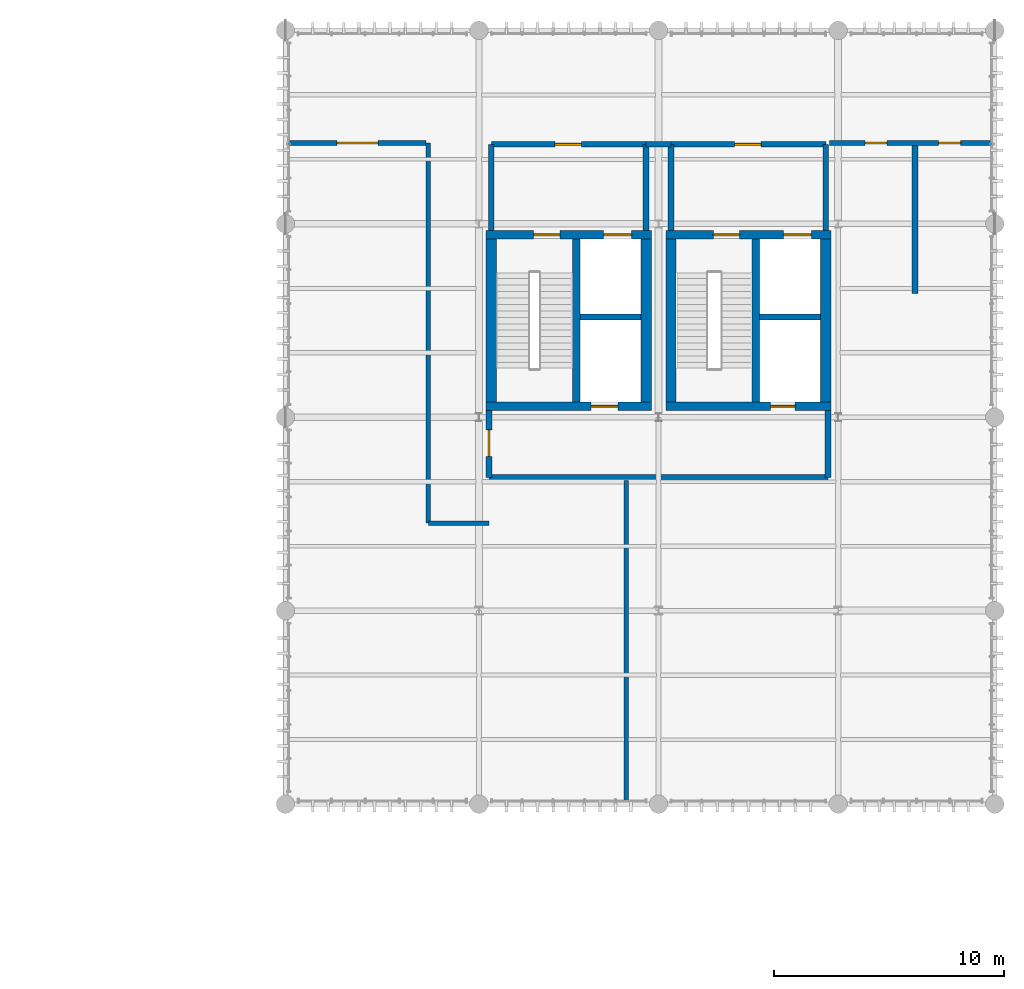
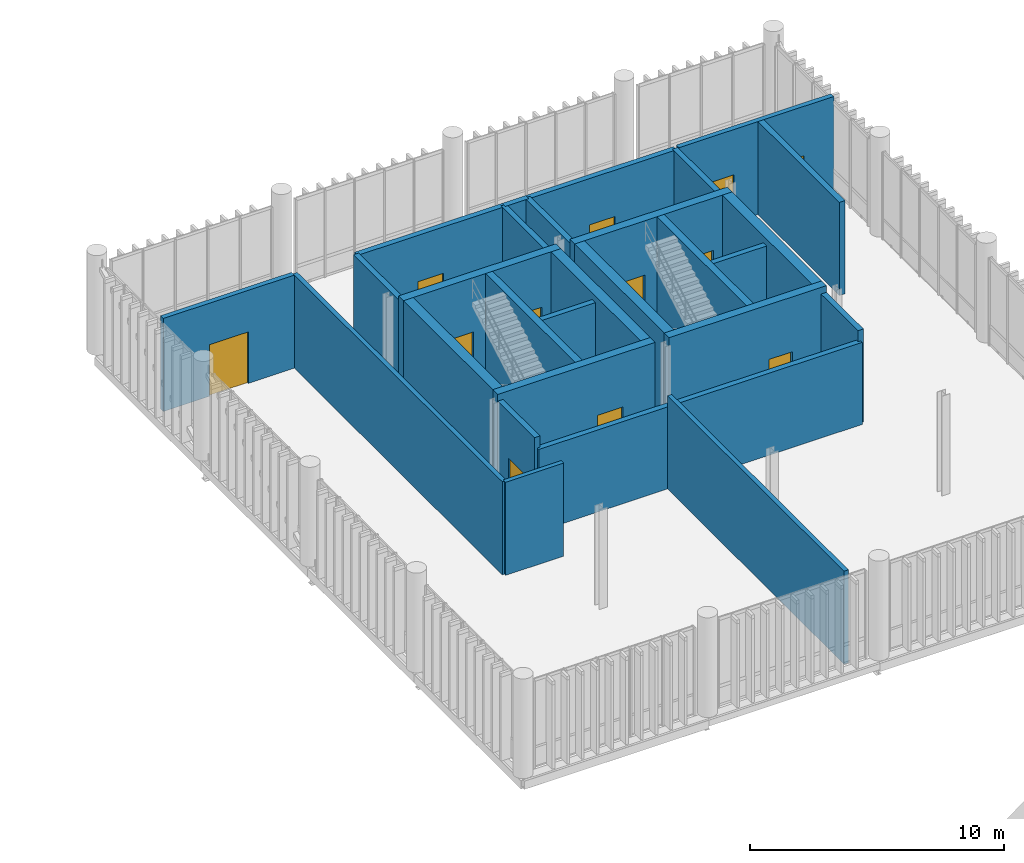
# One storey, part 82 of 94: 28 walls, 12 doors, 12 openings.
"""IFC4 building model written with IfcOpenShell, lengths in metres."""

from ifc_helpers import new_model, si_unit, direction, frame, frame_2d, origin_with_axes, place, context, subcontext, project, spatial, rectangle, extrude, material, layer, layer_set, type_object, element, fill, save


model = new_model("IFC4")

# Units and contexts
model_context = context("Model", 3, precision=1e-05, world=origin_with_axes(), true_north=direction((0.0, 1.0)))
body_context = subcontext(model_context, "Body", "Model", "MODEL_VIEW")
ifc_project = project(units=[si_unit("LENGTHUNIT", "METRE"), si_unit("AREAUNIT", "SQUARE_METRE"), si_unit("VOLUMEUNIT", "CUBIC_METRE"), si_unit("PLANEANGLEUNIT", "RADIAN"), si_unit("MASSUNIT", "GRAM", prefix="KILO"), si_unit("THERMODYNAMICTEMPERATUREUNIT", "KELVIN")], contexts=[model_context])

# Site, building, storey
site_placement = place(None, origin_with_axes())
site = spatial("IfcSite", under=ifc_project, at=site_placement, CompositionType="ELEMENT")
building_placement = place(site_placement, origin_with_axes())
building = spatial("IfcBuilding", under=site, at=building_placement, Name="Montbau Bow Law Courts", CompositionType="ELEMENT")
storey_placement = place(building_placement, frame((0.0, 0.0, 15.6), z_axis=(0.0, 0.0, 1.0), x_axis=(1.0, 0.0, 0.0)))
storey = spatial("IfcBuildingStorey", under=building, at=storey_placement, Name="L03", CompositionType="ELEMENT", Elevation=15.6)

# Walls
ifc_material_1 = material(Name="Concrete CSA A23.1 f'c 45 MPa", Category="concrete")
ifc_layer_1 = layer(ifc_material_1, 0.45, Name="Shear Wall", Category="concrete")
ifc_layer_set_1 = layer_set([ifc_layer_1], Name="Concrete CSA A23.1 f'c 45 MPa")
wall_type_1 = type_object("IfcWallType", Name="W-COR-02", PredefinedType="SHEAR", material=ifc_layer_set_1)
for number, where, z_axis, x_axis, name in (
    (1, (154.26, 87.07, 15.6), (0.0, 0.0, 1.0), (0.0, 1.0, 0.0), "WC-L03-0309:wal_0376"),
    (2, (147.54, 94.13, 15.6), (0.0, 0.0, 1.0), (0.0, -1.0, 0.0), "WC-L03-0310:wal_0377"),
    (3, (162.06, 87.07, 15.6), (0.0, 0.0, 1.0), (0.0, 1.0, 0.0), "WC-L03-0415:wal_0482"),
    (4, (155.34, 94.13, 15.6), (0.0, 0.0, 1.0), (0.0, -1.0, 0.0), "WC-L03-0416:wal_0483"),
):
    element("IfcWall", number, at=place(None, frame(where, z_axis=z_axis, x_axis=x_axis)), inside=storey, type_object=wall_type_1, Name=name, PredefinedType="SHEAR", context=body_context, shape_type="SweptSolid", body=[
        extrude(rectangle(XDim=7.060000000000002, YDim=0.45, at=frame_2d((3.53, 0.0), x_axis=(1.0, 0.0))), origin_with_axes(), (0.0, 0.0, 1.0), 4.8),
    ])

# Wall, opening, door
ifc_layer_2 = layer(ifc_material_1, 0.38, Name="Shear Wall", Category="concrete")
ifc_layer_set_2 = layer_set([ifc_layer_2], Name="Concrete CSA A23.1 f'c 45 MPa")
wall_type_2 = type_object("IfcWallType", Name="W-COR-04", PredefinedType="SHEAR", material=ifc_layer_set_2)
wall_1_placement = place(None, frame((147.315, 86.88, 15.6), z_axis=(0.0, 0.0, 1.0), x_axis=(1.0, 0.0, 0.0)))
wall_1 = element("IfcWall", 5, at=wall_1_placement, inside=storey, type_object=wall_type_2, Name="WC-L03-0307:wal_0374", PredefinedType="SHEAR", context=body_context, shape_type="SweptSolid", body=[
    extrude(rectangle(XDim=7.170000000000016, YDim=0.38, at=frame_2d((3.585, 0.0), x_axis=(1.0, 0.0))), origin_with_axes(), (0.0, 0.0, 1.0), 4.8),
])
opening_1_placement = place(None, frame((152.45, 86.88, 15.6), z_axis=(0.0, 0.0, 1.0), x_axis=(1.0, 0.0, 0.0)))
opening_1 = element("IfcOpeningElement", 6, at=opening_1_placement, cuts=wall_1, Name="OP-LD-L03-EL-P4", PredefinedType="OPENING", context=body_context, shape_type="SweptSolid", body=[
    extrude(rectangle(XDim=1.16, YDim=2.2, at=frame_2d((0.0, 1.1), x_axis=(1.0, 0.0))), frame((0.0, 0.2, 0.0), z_axis=(0.0, -1.0, 0.0), x_axis=(1.0, 0.0, 0.0)), (0.0, 0.0, 1.0), 0.4),
])
ifc_material_2 = material(Name="Brushed Stainless Steel Elevator Landing Door", Category="steel")
door_type_1 = type_object("IfcDoorType", Name="LD-PUB-01", OperationType="NOTDEFINED", ParameterTakesPrecedence=False, PredefinedType="DOOR", material=ifc_material_2)
door_1_placement = place(None, frame((152.45, 86.88, 15.6), z_axis=(0.0, 0.0, 1.0), x_axis=(-1.0, 0.0, 0.0)))
door_1 = element("IfcDoor", 7, at=door_1_placement, inside=storey, type_object=door_type_1, Name="LD-L03-EL-P4:dor_0156", OperationType="SLIDING_TO_LEFT", OverallHeight=2.2, OverallWidth=1.16, PredefinedType="DOOR", context=body_context, shape_type="SweptSolid", body=[
    extrude(rectangle(XDim=1.16, YDim=2.2, at=frame_2d((0.0, 1.1), x_axis=(1.0, 0.0))), frame((0.0, 0.04, 0.0), z_axis=(0.0, -1.0, 0.0), x_axis=(1.0, 0.0, 0.0)), (0.0, 0.0, 1.0), 0.08),
])
fill(opening_1, door_1)

# Wall, openings, doors
wall_2_placement = place(None, frame((154.485, 94.32, 15.6), z_axis=(0.0, 0.0, 1.0), x_axis=(-1.0, 0.0, 0.0)))
wall_2 = element("IfcWall", 8, at=wall_2_placement, inside=storey, type_object=wall_type_2, Name="WC-L03-0308:wal_0375", PredefinedType="SHEAR", context=body_context, shape_type="SweptSolid", body=[
    extrude(rectangle(XDim=7.170000000000016, YDim=0.38, at=frame_2d((3.585, 0.0), x_axis=(1.0, 0.0))), origin_with_axes(), (0.0, 0.0, 1.0), 4.8),
])
opening_2_placement = place(None, frame((149.95, 94.32, 15.6), z_axis=(0.0, 0.0, 1.0), x_axis=(-1.0, 0.0, 0.0)))
opening_2 = element("IfcOpeningElement", 9, at=opening_2_placement, cuts=wall_2, Name="OP-D-L03-ST-P2", PredefinedType="OPENING", context=body_context, shape_type="SweptSolid", body=[
    extrude(rectangle(XDim=1.14, YDim=2.18, at=frame_2d((0.0, 1.09), x_axis=(1.0, 0.0))), frame((0.0, 0.2, 0.0), z_axis=(0.0, -1.0, 0.0), x_axis=(1.0, 0.0, 0.0)), (0.0, 0.0, 1.0), 0.4),
])
opening_3_placement = place(None, frame((153.025, 94.32, 15.6), z_axis=(0.0, 0.0, 1.0), x_axis=(-1.0, 0.0, 0.0)))
opening_3 = element("IfcOpeningElement", 10, at=opening_3_placement, cuts=wall_2, Name="OP-LD-L03-EL-FF1", PredefinedType="OPENING", context=body_context, shape_type="SweptSolid", body=[
    extrude(rectangle(XDim=1.22, YDim=2.28, at=frame_2d((0.0, 1.14), x_axis=(1.0, 0.0))), frame((0.0, 0.2, 0.0), z_axis=(0.0, -1.0, 0.0), x_axis=(1.0, 0.0, 0.0)), (0.0, 0.0, 1.0), 0.4),
])
ifc_material_3 = material(Name="1.5 h Fire-Rated Hollow-Metal Exit Stair Door", Category="steel")
door_type_2 = type_object("IfcDoorType", Name="D-ST-01", OperationType="NOTDEFINED", ParameterTakesPrecedence=False, PredefinedType="DOOR", material=ifc_material_3)
door_2_placement = place(None, frame((149.95, 94.32, 15.6), z_axis=(0.0, 0.0, 1.0), x_axis=(1.0, 0.0, 0.0)))
door_2 = element("IfcDoor", 11, at=door_2_placement, inside=storey, type_object=door_type_2, Name="D-L03-ST-P2:dor_0154", OperationType="SINGLE_SWING_LEFT", OverallHeight=2.18, OverallWidth=1.14, PredefinedType="DOOR", context=body_context, shape_type="SweptSolid", body=[
    extrude(rectangle(XDim=1.14, YDim=2.18, at=frame_2d((0.0, 1.09), x_axis=(1.0, 0.0))), frame((0.0, 0.04, 0.0), z_axis=(0.0, -1.0, 0.0), x_axis=(1.0, 0.0, 0.0)), (0.0, 0.0, 1.0), 0.08),
])
fill(opening_2, door_2)
ifc_material_4 = material(Name="CSA B44 Firefighters Elevator Landing Door", Category="steel")
door_type_3 = type_object("IfcDoorType", Name="LD-FFE-01", OperationType="NOTDEFINED", ParameterTakesPrecedence=False, PredefinedType="DOOR", material=ifc_material_4)
door_3_placement = place(None, frame((153.025, 94.32, 15.6), z_axis=(0.0, 0.0, 1.0), x_axis=(1.0, 0.0, 0.0)))
door_3 = element("IfcDoor", 12, at=door_3_placement, inside=storey, type_object=door_type_3, Name="LD-L03-EL-FF1:dor_0155", OperationType="SLIDING_TO_LEFT", OverallHeight=2.28, OverallWidth=1.22, PredefinedType="DOOR", context=body_context, shape_type="SweptSolid", body=[
    extrude(rectangle(XDim=1.22, YDim=2.28, at=frame_2d((0.0, 1.14), x_axis=(1.0, 0.0))), frame((0.0, 0.04, 0.0), z_axis=(0.0, -1.0, 0.0), x_axis=(1.0, 0.0, 0.0)), (0.0, 0.0, 1.0), 0.08),
])
fill(opening_3, door_3)

# Wall, opening, door
wall_3_placement = place(None, frame((155.115, 86.88, 15.6), z_axis=(0.0, 0.0, 1.0), x_axis=(1.0, 0.0, 0.0)))
wall_3 = element("IfcWall", 13, at=wall_3_placement, inside=storey, type_object=wall_type_2, Name="WC-L03-0413:wal_0480", PredefinedType="SHEAR", context=body_context, shape_type="SweptSolid", body=[
    extrude(rectangle(XDim=7.1699999999999875, YDim=0.38, at=frame_2d((3.585, 0.0), x_axis=(1.0, 0.0))), origin_with_axes(), (0.0, 0.0, 1.0), 4.8),
])
opening_4_placement = place(None, frame((160.2, 86.88, 15.6), z_axis=(0.0, 0.0, 1.0), x_axis=(1.0, 0.0, 0.0)))
opening_4 = element("IfcOpeningElement", 14, at=opening_4_placement, cuts=wall_3, Name="OP-LD-L03-EL-J2", PredefinedType="OPENING", context=body_context, shape_type="SweptSolid", body=[
    extrude(rectangle(XDim=1.06, YDim=2.16, at=frame_2d((0.0, 1.08), x_axis=(1.0, 0.0))), frame((0.0, 0.2, 0.0), z_axis=(0.0, -1.0, 0.0), x_axis=(1.0, 0.0, 0.0)), (0.0, 0.0, 1.0), 0.4),
])
ifc_material_5 = material(Name="Bronze-Clad Judicial Elevator Landing Door", Category="steel")
door_type_4 = type_object("IfcDoorType", Name="LD-JUD-01", OperationType="NOTDEFINED", ParameterTakesPrecedence=False, PredefinedType="DOOR", material=ifc_material_5)
door_4_placement = place(None, frame((160.2, 86.88, 15.6), z_axis=(0.0, 0.0, 1.0), x_axis=(-1.0, 0.0, 0.0)))
door_4 = element("IfcDoor", 15, at=door_4_placement, inside=storey, type_object=door_type_4, Name="LD-L03-EL-J2:dor_0195", OperationType="SLIDING_TO_LEFT", OverallHeight=2.16, OverallWidth=1.06, PredefinedType="DOOR", context=body_context, shape_type="SweptSolid", body=[
    extrude(rectangle(XDim=1.06, YDim=2.16, at=frame_2d((0.0, 1.08), x_axis=(1.0, 0.0))), frame((0.0, 0.04, 0.0), z_axis=(0.0, -1.0, 0.0), x_axis=(1.0, 0.0, 0.0)), (0.0, 0.0, 1.0), 0.08),
])
fill(opening_4, door_4)

# Wall, openings, doors
wall_4_placement = place(None, frame((162.285, 94.32, 15.6), z_axis=(0.0, 0.0, 1.0), x_axis=(-1.0, 0.0, 0.0)))
wall_4 = element("IfcWall", 16, at=wall_4_placement, inside=storey, type_object=wall_type_2, Name="WC-L03-0414:wal_0481", PredefinedType="SHEAR", context=body_context, shape_type="SweptSolid", body=[
    extrude(rectangle(XDim=7.1699999999999875, YDim=0.38, at=frame_2d((3.585, 0.0), x_axis=(1.0, 0.0))), origin_with_axes(), (0.0, 0.0, 1.0), 4.8),
])
opening_5_placement = place(None, frame((157.75, 94.32, 15.6), z_axis=(0.0, 0.0, 1.0), x_axis=(-1.0, 0.0, 0.0)))
opening_5 = element("IfcOpeningElement", 17, at=opening_5_placement, cuts=wall_4, Name="OP-D-L03-ST-J2", PredefinedType="OPENING", context=body_context, shape_type="SweptSolid", body=[
    extrude(rectangle(XDim=1.14, YDim=2.18, at=frame_2d((0.0, 1.09), x_axis=(1.0, 0.0))), frame((0.0, 0.2, 0.0), z_axis=(0.0, -1.0, 0.0), x_axis=(1.0, 0.0, 0.0)), (0.0, 0.0, 1.0), 0.4),
])
opening_6_placement = place(None, frame((160.825, 94.32, 15.6), z_axis=(0.0, 0.0, 1.0), x_axis=(-1.0, 0.0, 0.0)))
opening_6 = element("IfcOpeningElement", 18, at=opening_6_placement, cuts=wall_4, Name="OP-LD-L03-EL-FF2", PredefinedType="OPENING", context=body_context, shape_type="SweptSolid", body=[
    extrude(rectangle(XDim=1.22, YDim=2.28, at=frame_2d((0.0, 1.14), x_axis=(1.0, 0.0))), frame((0.0, 0.2, 0.0), z_axis=(0.0, -1.0, 0.0), x_axis=(1.0, 0.0, 0.0)), (0.0, 0.0, 1.0), 0.4),
])
door_5_placement = place(None, frame((157.75, 94.32, 15.6), z_axis=(0.0, 0.0, 1.0), x_axis=(1.0, 0.0, 0.0)))
door_5 = element("IfcDoor", 19, at=door_5_placement, inside=storey, type_object=door_type_2, Name="D-L03-ST-J2:dor_0193", OperationType="SINGLE_SWING_RIGHT", OverallHeight=2.18, OverallWidth=1.14, PredefinedType="DOOR", context=body_context, shape_type="SweptSolid", body=[
    extrude(rectangle(XDim=1.14, YDim=2.18, at=frame_2d((0.0, 1.09), x_axis=(1.0, 0.0))), frame((0.0, 0.04, 0.0), z_axis=(0.0, -1.0, 0.0), x_axis=(1.0, 0.0, 0.0)), (0.0, 0.0, 1.0), 0.08),
])
fill(opening_5, door_5)
door_6_placement = place(None, frame((160.825, 94.32, 15.6), z_axis=(0.0, 0.0, 1.0), x_axis=(1.0, 0.0, 0.0)))
door_6 = element("IfcDoor", 20, at=door_6_placement, inside=storey, type_object=door_type_3, Name="LD-L03-EL-FF2:dor_0194", OperationType="SLIDING_TO_LEFT", OverallHeight=2.28, OverallWidth=1.22, PredefinedType="DOOR", context=body_context, shape_type="SweptSolid", body=[
    extrude(rectangle(XDim=1.22, YDim=2.28, at=frame_2d((0.0, 1.14), x_axis=(1.0, 0.0))), frame((0.0, 0.04, 0.0), z_axis=(0.0, -1.0, 0.0), x_axis=(1.0, 0.0, 0.0)), (0.0, 0.0, 1.0), 0.08),
])
fill(opening_6, door_6)

# Walls
ifc_layer_3 = layer(ifc_material_1, 0.32, Name="Shear Wall", Category="concrete")
ifc_layer_set_3 = layer_set([ifc_layer_3], Name="Concrete CSA A23.1 f'c 45 MPa")
wall_type_3 = type_object("IfcWallType", Name="W-COR-05", PredefinedType="SHEAR", material=ifc_layer_set_3)
for number, where, z_axis, x_axis, name in (
    (21, (151.22, 87.07, 15.6), (0.0, 0.0, 1.0), (0.0, 1.0, 0.0), "WS-L03-0311:wal_0378"),
    (22, (159.02, 87.07, 15.6), (0.0, 0.0, 1.0), (0.0, 1.0, 0.0), "WS-L03-0417:wal_0484"),
):
    element("IfcWall", number, at=place(None, frame(where, z_axis=z_axis, x_axis=x_axis)), inside=storey, type_object=wall_type_3, Name=name, PredefinedType="SHEAR", context=body_context, shape_type="SweptSolid", body=[
        extrude(rectangle(XDim=7.060000000000002, YDim=0.32, at=frame_2d((3.53, 0.0), x_axis=(1.0, 0.0))), origin_with_axes(), (0.0, 0.0, 1.0), 4.8),
    ])
ifc_material_6 = material(Name="Double-Stud Acoustic Plumbing Chase Gypsum Assembly", Category="gypsum")
ifc_layer_4 = layer(ifc_material_6, 0.26, Name="Plumbing Wall", Category="gypsum")
ifc_layer_set_4 = layer_set([ifc_layer_4], Name="Double-Stud Acoustic Plumbing Chase Gypsum Assembly")
wall_type_4 = type_object("IfcWallType", Name="W-PLM-01", PredefinedType="PLUMBINGWALL", material=ifc_layer_set_4)
wall_5_placement = place(None, frame((165.94, 91.78, 15.6), z_axis=(0.0, 0.0, 1.0), x_axis=(0.0, 1.0, 0.0)))
element("IfcWall", 23, at=wall_5_placement, inside=storey, type_object=wall_type_4, Name="WD-L03-0802:wal_0869", PredefinedType="PLUMBINGWALL", context=body_context, shape_type="SweptSolid", body=[
    extrude(rectangle(XDim=6.429999999999993, YDim=0.26, at=frame_2d((3.215, 0.0), x_axis=(1.0, 0.0))), origin_with_axes(), (0.0, 0.0, 1.0), 4.48),
])
ifc_material_7 = material(Name="2 h Shaft and Exit-Passage Fire Separation Partition", Category="gypsum")
ifc_layer_5 = layer(ifc_material_7, 0.25, Name="Partition", Category="gypsum")
ifc_layer_set_5 = layer_set([ifc_layer_5], Name="2 h Shaft and Exit-Passage Fire Separation Partition")
wall_type_5 = type_object("IfcWallType", Name="W-PRT-01", PredefinedType="PARTITIONING", material=ifc_layer_set_5)
wall_6_placement = place(None, frame((151.38, 90.749, 15.6), z_axis=(0.0, 0.0, 1.0), x_axis=(1.0, 0.0, 0.0)))
element("IfcWall", 24, at=wall_6_placement, inside=storey, type_object=wall_type_5, Name="WS-L03-0312:wal_0379", PredefinedType="PARTITIONING", context=body_context, shape_type="SweptSolid", body=[
    extrude(rectangle(XDim=2.655000000000001, YDim=0.25, at=frame_2d((1.3275, 0.0), x_axis=(1.0, 0.0))), origin_with_axes(), (0.0, 0.0, 1.0), 4.48),
])

# Wall, opening, door
wall_7_placement = place(None, frame((154.26, 98.25, 15.6), z_axis=(0.0, 0.0, 1.0), x_axis=(-1.0, 0.0, 0.0)))
wall_7 = element("IfcWall", 25, at=wall_7_placement, inside=storey, type_object=wall_type_5, Name="WFF-L03-0313:wal_0380", PredefinedType="PARTITIONING", context=body_context, shape_type="SweptSolid", body=[
    extrude(rectangle(XDim=6.719999999999999, YDim=0.25, at=frame_2d((3.36, 0.0), x_axis=(1.0, 0.0))), origin_with_axes(), (0.0, 0.0, 1.0), 4.48),
])
opening_7_placement = place(None, frame((150.875, 98.25, 15.6), z_axis=(0.0, 0.0, 1.0), x_axis=(-1.0, 0.0, 0.0)))
opening_7 = element("IfcOpeningElement", 26, at=opening_7_placement, cuts=wall_7, Name="OP-D-L03-FFL5", PredefinedType="OPENING", context=body_context, shape_type="SweptSolid", body=[
    extrude(rectangle(XDim=1.15, YDim=2.25, at=frame_2d((0.0, 1.125), x_axis=(1.0, 0.0))), frame((0.0, 0.135, 0.0), z_axis=(0.0, -1.0, 0.0), x_axis=(1.0, 0.0, 0.0)), (0.0, 0.0, 1.0), 0.27),
])
ifc_material_8 = material(Name="1.5 h Smoke-Sealed Firefighters Lobby Door", Category="steel")
door_type_5 = type_object("IfcDoorType", Name="D-FFL-01", OperationType="NOTDEFINED", ParameterTakesPrecedence=False, PredefinedType="DOOR", material=ifc_material_8)
door_7_placement = place(None, frame((150.875, 98.25, 15.6), z_axis=(0.0, 0.0, 1.0), x_axis=(1.0, 0.0, 0.0)))
door_7 = element("IfcDoor", 27, at=door_7_placement, inside=storey, type_object=door_type_5, Name="D-L03-FFL5:dor_0157", OperationType="SINGLE_SWING_RIGHT", OverallHeight=2.25, OverallWidth=1.15, PredefinedType="DOOR", context=body_context, shape_type="SweptSolid", body=[
    extrude(rectangle(XDim=1.15, YDim=2.25, at=frame_2d((0.0, 1.125), x_axis=(1.0, 0.0))), frame((0.0, 0.04, 0.0), z_axis=(0.0, -1.0, 0.0), x_axis=(1.0, 0.0, 0.0)), (0.0, 0.0, 1.0), 0.08),
])
fill(opening_7, door_7)

# Walls
for number, where, z_axis, x_axis, name in (
    (28, (147.54, 94.5, 15.6), (0.0, 0.0, 1.0), (0.0, 1.0, 0.0), "WFF-L03-0314:wal_0381"),
    (29, (154.26, 94.5, 15.6), (0.0, 0.0, 1.0), (0.0, 1.0, 0.0), "WFF-L03-0315:wal_0382"),
):
    element("IfcWall", number, at=place(None, frame(where, z_axis=z_axis, x_axis=x_axis)), inside=storey, type_object=wall_type_5, Name=name, PredefinedType="PARTITIONING", context=body_context, shape_type="SweptSolid", body=[
        extrude(rectangle(XDim=3.75, YDim=0.25, at=frame_2d((1.875, 0.0), x_axis=(1.0, 0.0))), origin_with_axes(), (0.0, 0.0, 1.0), 4.48),
    ])
wall_8_placement = place(None, frame((147.44, 83.78, 15.6), z_axis=(0.0, 0.0, 1.0), x_axis=(1.0, 0.0, 0.0)))
element("IfcWall", 30, at=wall_8_placement, inside=storey, type_object=wall_type_5, Name="WEL-L03-0316:wal_0383", PredefinedType="PARTITIONING", context=body_context, shape_type="SweptSolid", body=[
    extrude(rectangle(XDim=14.719999999999999, YDim=0.25, at=frame_2d((7.36, 0.0), x_axis=(1.0, 0.0))), origin_with_axes(), (0.0, 0.0, 1.0), 3.95),
])
wall_9_placement = place(None, frame((162.16, 83.78, 15.6), z_axis=(0.0, 0.0, 1.0), x_axis=(0.0, 1.0, 0.0)))
element("IfcWall", 31, at=wall_9_placement, inside=storey, type_object=wall_type_5, Name="WEL-L03-0317:wal_0384", PredefinedType="PARTITIONING", context=body_context, shape_type="SweptSolid", body=[
    extrude(rectangle(XDim=2.9200000000000017, YDim=0.25, at=frame_2d((1.46, 0.0), x_axis=(1.0, 0.0))), origin_with_axes(), (0.0, 0.0, 1.0), 4.48),
])

# Wall, opening, door
wall_10_placement = place(None, frame((147.44, 86.7, 15.6), z_axis=(0.0, 0.0, 1.0), x_axis=(0.0, -1.0, 0.0)))
wall_10 = element("IfcWall", 32, at=wall_10_placement, inside=storey, type_object=wall_type_5, Name="WEL-L03-0318:wal_0385", PredefinedType="PARTITIONING", context=body_context, shape_type="SweptSolid", body=[
    extrude(rectangle(XDim=2.9200000000000017, YDim=0.25, at=frame_2d((1.46, 0.0), x_axis=(1.0, 0.0))), origin_with_axes(), (0.0, 0.0, 1.0), 4.48),
])
opening_8_placement = place(None, frame((147.44, 85.275, 15.6), z_axis=(0.0, 0.0, 1.0), x_axis=(0.0, -1.0, 0.0)))
opening_8 = element("IfcOpeningElement", 33, at=opening_8_placement, cuts=wall_10, Name="OP-D-L03-ELB-NE", PredefinedType="OPENING", context=body_context, shape_type="SweptSolid", body=[
    extrude(rectangle(XDim=1.15, YDim=2.25, at=frame_2d((0.0, 1.125), x_axis=(1.0, 0.0))), frame((0.0, 0.135, 0.0), z_axis=(0.0, -1.0, 0.0), x_axis=(1.0, 0.0, 0.0)), (0.0, 0.0, 1.0), 0.27),
])
door_8_placement = place(None, frame((147.44, 85.275, 15.6), z_axis=(0.0, 0.0, 1.0), x_axis=(0.0, -1.0, 0.0)))
door_8 = element("IfcDoor", 34, at=door_8_placement, inside=storey, type_object=door_type_5, Name="D-L03-ELB-NE:dor_0158", OperationType="SINGLE_SWING_LEFT", OverallHeight=2.25, OverallWidth=1.15, PredefinedType="DOOR", context=body_context, shape_type="SweptSolid", body=[
    extrude(rectangle(XDim=1.15, YDim=2.25, at=frame_2d((0.0, 1.125), x_axis=(1.0, 0.0))), frame((0.0, 0.04, 0.0), z_axis=(0.0, -1.0, 0.0), x_axis=(1.0, 0.0, 0.0)), (0.0, 0.0, 1.0), 0.08),
])
fill(opening_8, door_8)

# Wall
wall_11_placement = place(None, frame((159.18, 90.749, 15.6), z_axis=(0.0, 0.0, 1.0), x_axis=(1.0, 0.0, 0.0)))
element("IfcWall", 35, at=wall_11_placement, inside=storey, type_object=wall_type_5, Name="WS-L03-0418:wal_0485", PredefinedType="PARTITIONING", context=body_context, shape_type="SweptSolid", body=[
    extrude(rectangle(XDim=2.655000000000001, YDim=0.25, at=frame_2d((1.3275, 0.0), x_axis=(1.0, 0.0))), origin_with_axes(), (0.0, 0.0, 1.0), 4.48),
])

# Wall, opening, door
wall_12_placement = place(None, frame((162.06, 98.25, 15.6), z_axis=(0.0, 0.0, 1.0), x_axis=(-1.0, 0.0, 0.0)))
wall_12 = element("IfcWall", 36, at=wall_12_placement, inside=storey, type_object=wall_type_5, Name="WFF-L03-0419:wal_0486", PredefinedType="PARTITIONING", context=body_context, shape_type="SweptSolid", body=[
    extrude(rectangle(XDim=6.719999999999999, YDim=0.25, at=frame_2d((3.36, 0.0), x_axis=(1.0, 0.0))), origin_with_axes(), (0.0, 0.0, 1.0), 4.48),
])
opening_9_placement = place(None, frame((158.675, 98.25, 15.6), z_axis=(0.0, 0.0, 1.0), x_axis=(-1.0, 0.0, 0.0)))
opening_9 = element("IfcOpeningElement", 37, at=opening_9_placement, cuts=wall_12, Name="OP-D-L03-FFL6", PredefinedType="OPENING", context=body_context, shape_type="SweptSolid", body=[
    extrude(rectangle(XDim=1.15, YDim=2.25, at=frame_2d((0.0, 1.125), x_axis=(1.0, 0.0))), frame((0.0, 0.135, 0.0), z_axis=(0.0, -1.0, 0.0), x_axis=(1.0, 0.0, 0.0)), (0.0, 0.0, 1.0), 0.27),
])
door_9_placement = place(None, frame((158.675, 98.25, 15.6), z_axis=(0.0, 0.0, 1.0), x_axis=(1.0, 0.0, 0.0)))
door_9 = element("IfcDoor", 38, at=door_9_placement, inside=storey, type_object=door_type_5, Name="D-L03-FFL6:dor_0196", OperationType="SINGLE_SWING_LEFT", OverallHeight=2.25, OverallWidth=1.15, PredefinedType="DOOR", context=body_context, shape_type="SweptSolid", body=[
    extrude(rectangle(XDim=1.15, YDim=2.25, at=frame_2d((0.0, 1.125), x_axis=(1.0, 0.0))), frame((0.0, 0.04, 0.0), z_axis=(0.0, -1.0, 0.0), x_axis=(1.0, 0.0, 0.0)), (0.0, 0.0, 1.0), 0.08),
])
fill(opening_9, door_9)

# Walls
for number, where, z_axis, x_axis, name in (
    (39, (155.34, 94.5, 15.6), (0.0, 0.0, 1.0), (0.0, 1.0, 0.0), "WFF-L03-0420:wal_0487"),
    (40, (162.06, 94.5, 15.6), (0.0, 0.0, 1.0), (0.0, 1.0, 0.0), "WFF-L03-0421:wal_0488"),
):
    element("IfcWall", number, at=place(None, frame(where, z_axis=z_axis, x_axis=x_axis)), inside=storey, type_object=wall_type_5, Name=name, PredefinedType="PARTITIONING", context=body_context, shape_type="SweptSolid", body=[
        extrude(rectangle(XDim=3.75, YDim=0.25, at=frame_2d((1.875, 0.0), x_axis=(1.0, 0.0))), origin_with_axes(), (0.0, 0.0, 1.0), 4.48),
    ])
wall_13_placement = place(None, frame((154.26, 98.25, 15.6), z_axis=(0.0, 0.0, 1.0), x_axis=(1.0, 0.0, 0.0)))
element("IfcWall", 41, at=wall_13_placement, inside=storey, type_object=wall_type_5, Name="WFF-L03-0547:wal_0614", PredefinedType="PARTITIONING", context=body_context, shape_type="SweptSolid", body=[
    extrude(rectangle(XDim=1.0800000000000125, YDim=0.25, at=frame_2d((0.54, 0.0), x_axis=(1.0, 0.0))), origin_with_axes(), (0.0, 0.0, 1.0), 4.48),
])

# Wall, opening, door
ifc_material_9 = material(Name="STC-60 High-Acoustic Courtroom Perimeter Partition", Category="gypsum")
ifc_layer_6 = layer(ifc_material_9, 0.22, Name="Partition", Category="gypsum")
ifc_layer_set_6 = layer_set([ifc_layer_6], Name="STC-60 High-Acoustic Courtroom Perimeter Partition")
wall_type_6 = type_object("IfcWallType", Name="W-PRT-02", PredefinedType="PARTITIONING", material=ifc_layer_set_6)
wall_14_placement = place(None, frame((138.74, 98.31, 15.6), z_axis=(0.0, 0.0, 1.0), x_axis=(1.0, 0.0, 0.0)))
wall_14 = element("IfcWall", 42, at=wall_14_placement, inside=storey, type_object=wall_type_6, Name="WP-L03-0800:wal_0867", PredefinedType="PARTITIONING", context=body_context, shape_type="SweptSolid", body=[
    extrude(rectangle(XDim=5.9599999999999795, YDim=0.22, at=frame_2d((2.98, 0.0), x_axis=(1.0, 0.0))), origin_with_axes(), (0.0, 0.0, 1.0), 4.48),
])
opening_10_placement = place(None, frame((141.72, 98.31, 15.6), z_axis=(0.0, 0.0, 1.0), x_axis=(1.0, 0.0, 0.0)))
opening_10 = element("IfcOpeningElement", 43, at=opening_10_placement, cuts=wall_14, Name="OP-D-L03-333", PredefinedType="OPENING", context=body_context, shape_type="SweptSolid", body=[
    extrude(rectangle(XDim=1.78, YDim=2.48, at=frame_2d((0.0, 1.24), x_axis=(1.0, 0.0))), frame((0.0, 0.12, 0.0), z_axis=(0.0, -1.0, 0.0), x_axis=(1.0, 0.0, 0.0)), (0.0, 0.0, 1.0), 0.24),
])
ifc_material_10 = material(Name="Acoustic White-Oak Appellate Courtroom Double Door", Category="wood")
door_type_6 = type_object("IfcDoorType", Name="D-CRT-03", OperationType="NOTDEFINED", ParameterTakesPrecedence=False, PredefinedType="DOOR", material=ifc_material_10)
door_10_placement = place(None, frame((141.72, 98.31, 15.6), z_axis=(0.0, 0.0, 1.0), x_axis=(1.0, 0.0, 0.0)))
door_10 = element("IfcDoor", 44, at=door_10_placement, inside=storey, type_object=door_type_6, Name="D-L03-333:dor_0368", OperationType="DOUBLE_DOOR_SINGLE_SWING", OverallHeight=2.48, OverallWidth=1.78, PredefinedType="DOOR", context=body_context, shape_type="SweptSolid", body=[
    extrude(rectangle(XDim=1.78, YDim=2.48, at=frame_2d((0.0, 1.24), x_axis=(1.0, 0.0))), frame((0.0, 0.04, 0.0), z_axis=(0.0, -1.0, 0.0), x_axis=(1.0, 0.0, 0.0)), (0.0, 0.0, 1.0), 0.08),
])
fill(opening_10, door_10)

# Wall, openings, doors
wall_15_placement = place(None, frame((162.22, 98.31, 15.6), z_axis=(0.0, 0.0, 1.0), x_axis=(1.0, 0.0, 0.0)))
wall_15 = element("IfcWall", 45, at=wall_15_placement, inside=storey, type_object=wall_type_6, Name="WP-L03-0801:wal_0868", PredefinedType="PARTITIONING", context=body_context, shape_type="SweptSolid", body=[
    extrude(rectangle(XDim=7.039999999999992, YDim=0.22, at=frame_2d((3.52, 0.0), x_axis=(1.0, 0.0))), origin_with_axes(), (0.0, 0.0, 1.0), 4.48),
])
opening_11_placement = place(None, frame((164.242, 98.31, 15.6), z_axis=(0.0, 0.0, 1.0), x_axis=(1.0, 0.0, 0.0)))
opening_11 = element("IfcOpeningElement", 46, at=opening_11_placement, cuts=wall_15, Name="OP-D-L03-334", PredefinedType="OPENING", context=body_context, shape_type="SweptSolid", body=[
    extrude(rectangle(XDim=0.94, YDim=2.3, at=frame_2d((0.0, 1.15), x_axis=(1.0, 0.0))), frame((0.0, 0.12, 0.0), z_axis=(0.0, -1.0, 0.0), x_axis=(1.0, 0.0, 0.0)), (0.0, 0.0, 1.0), 0.24),
])
opening_12_placement = place(None, frame((167.438, 98.31, 15.6), z_axis=(0.0, 0.0, 1.0), x_axis=(1.0, 0.0, 0.0)))
opening_12 = element("IfcOpeningElement", 47, at=opening_12_placement, cuts=wall_15, Name="OP-D-L03-335", PredefinedType="OPENING", context=body_context, shape_type="SweptSolid", body=[
    extrude(rectangle(XDim=0.95, YDim=2.1, at=frame_2d((0.0, 1.05), x_axis=(1.0, 0.0))), frame((0.0, 0.12, 0.0), z_axis=(0.0, -1.0, 0.0), x_axis=(1.0, 0.0, 0.0)), (0.0, 0.0, 1.0), 0.24),
])
ifc_material_11 = material(Name="Appellate Justice Suite Solid White-Oak Door", Category="wood")
door_type_7 = type_object("IfcDoorType", Name="D-CHM-02", OperationType="NOTDEFINED", ParameterTakesPrecedence=False, PredefinedType="DOOR", material=ifc_material_11)
door_11_placement = place(None, frame((164.242, 98.31, 15.6), z_axis=(0.0, 0.0, 1.0), x_axis=(1.0, 0.0, 0.0)))
door_11 = element("IfcDoor", 48, at=door_11_placement, inside=storey, type_object=door_type_7, Name="D-L03-334:dor_0369", OperationType="SINGLE_SWING_RIGHT", OverallHeight=2.3, OverallWidth=0.94, PredefinedType="DOOR", context=body_context, shape_type="SweptSolid", body=[
    extrude(rectangle(XDim=0.94, YDim=2.3, at=frame_2d((0.0, 1.15), x_axis=(1.0, 0.0))), frame((0.0, 0.04, 0.0), z_axis=(0.0, -1.0, 0.0), x_axis=(1.0, 0.0, 0.0)), (0.0, 0.0, 1.0), 0.08),
])
fill(opening_11, door_11)
ifc_material_12 = material(Name="CSA B651 Universal Barrier-Free Washroom Door", Category="wood")
door_type_8 = type_object("IfcDoorType", Name="D-WC-01", OperationType="NOTDEFINED", ParameterTakesPrecedence=False, PredefinedType="DOOR", material=ifc_material_12)
door_12_placement = place(None, frame((167.438, 98.31, 15.6), z_axis=(0.0, 0.0, 1.0), x_axis=(1.0, 0.0, 0.0)))
door_12 = element("IfcDoor", 49, at=door_12_placement, inside=storey, type_object=door_type_8, Name="D-L03-335:dor_0370", OperationType="SINGLE_SWING_LEFT", OverallHeight=2.1, OverallWidth=0.95, PredefinedType="DOOR", context=body_context, shape_type="SweptSolid", body=[
    extrude(rectangle(XDim=0.95, YDim=2.1, at=frame_2d((0.0, 1.05), x_axis=(1.0, 0.0))), frame((0.0, 0.04, 0.0), z_axis=(0.0, -1.0, 0.0), x_axis=(1.0, 0.0, 0.0)), (0.0, 0.0, 1.0), 0.08),
])
fill(opening_12, door_12)

# Walls
ifc_material_13 = material(Name="STC-55 Jury Deliberation Security Partition", Category="gypsum")
ifc_layer_7 = layer(ifc_material_13, 0.2, Name="Partition", Category="gypsum")
ifc_layer_set_7 = layer_set([ifc_layer_7], Name="STC-55 Jury Deliberation Security Partition")
wall_type_7 = type_object("IfcWallType", Name="W-PRT-03", PredefinedType="PARTITIONING", material=ifc_layer_set_7)
wall_16_placement = place(None, frame((144.8, 81.8, 15.6), z_axis=(0.0, 0.0, 1.0), x_axis=(0.0, 1.0, 0.0)))
element("IfcWall", 50, at=wall_16_placement, inside=storey, type_object=wall_type_7, Name="WCX-L03-0798:wal_0865", PredefinedType="PARTITIONING", context=body_context, shape_type="SweptSolid", body=[
    extrude(rectangle(XDim=16.510000000000005, YDim=0.2, at=frame_2d((8.255, 0.0), x_axis=(1.0, 0.0))), origin_with_axes(), (0.0, 0.0, 1.0), 4.48),
])
wall_17_placement = place(None, frame((144.8, 81.8, 15.6), z_axis=(0.0, 0.0, 1.0), x_axis=(1.0, 0.0, 0.0)))
element("IfcWall", 51, at=wall_17_placement, inside=storey, type_object=wall_type_7, Name="WCX-L03-0799:wal_0866", PredefinedType="PARTITIONING", context=body_context, shape_type="SweptSolid", body=[
    extrude(rectangle(XDim=2.6399999999999864, YDim=0.2, at=frame_2d((1.32, 0.0), x_axis=(1.0, 0.0))), origin_with_axes(), (0.0, 0.0, 1.0), 4.48),
])
wall_18_placement = place(None, frame((153.393, 69.74, 15.6), z_axis=(0.0, 0.0, 1.0), x_axis=(0.0, 1.0, 0.0)))
element("IfcWall", 52, at=wall_18_placement, inside=storey, type_object=wall_type_7, Name="WD-L03-0803:wal_0870", PredefinedType="PARTITIONING", context=body_context, shape_type="SweptSolid", body=[
    extrude(rectangle(XDim=13.920000000000002, YDim=0.2, at=frame_2d((6.96, 0.0), x_axis=(1.0, 0.0))), origin_with_axes(), (0.0, 0.0, 1.0), 4.48),
])

save(model, "model.ifc")
